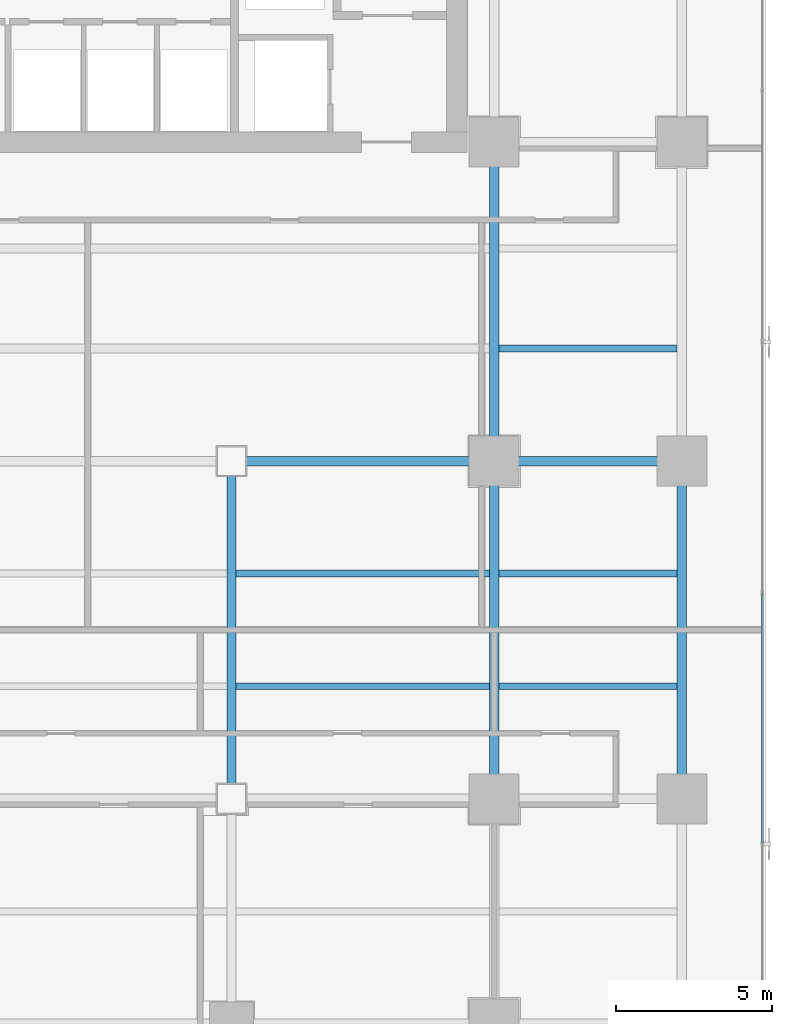
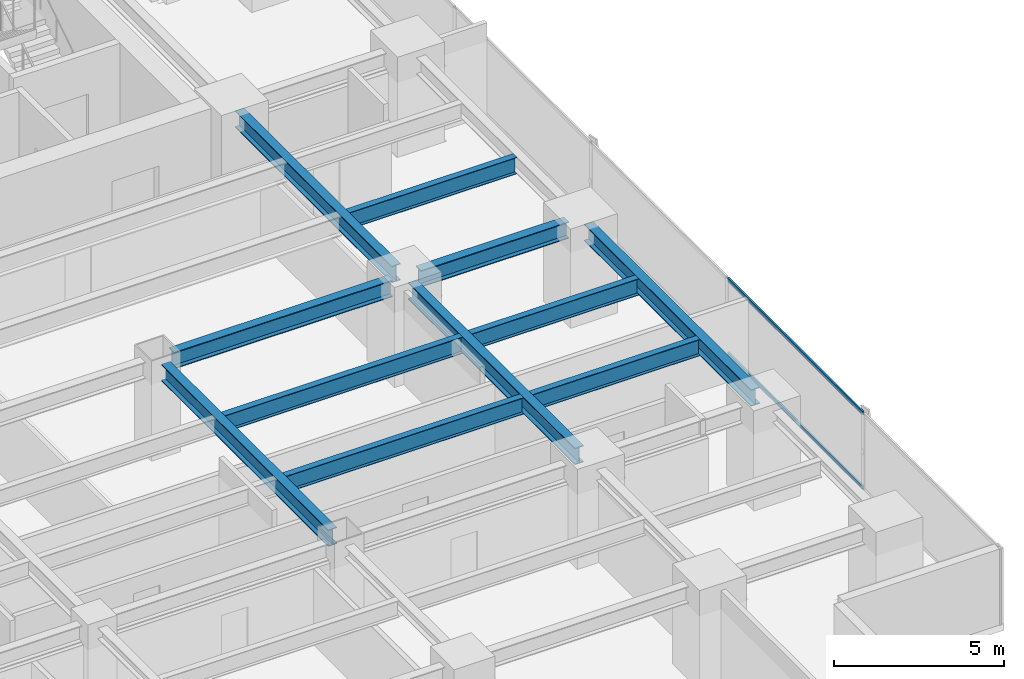
# One storey, part 15 of 34: 11 beams, 2 members, 1 element without a shape of its own.
"""IFC4 building model written with IfcOpenShell, lengths in metres."""

from ifc_helpers import new_model, si_unit, direction, frame, origin, origin_2d, place, context, subcontext, project, spatial, hollow_rectangle, i_section, extrude, source, transform, mapped, material, layer, layer_set, material_profile, profile_set, type_object, element, aggregate, save


model = new_model("IFC4")

# Units and contexts
model_context = context("Model", 3, precision=1e-05, world=origin(), true_north=direction((0.0, 1.0)))
body_context = subcontext(model_context, "Body", "Model", "MODEL_VIEW")
ifc_project = project(units=[si_unit("LENGTHUNIT", "METRE"), si_unit("AREAUNIT", "SQUARE_METRE"), si_unit("VOLUMEUNIT", "CUBIC_METRE"), si_unit("PLANEANGLEUNIT", "RADIAN"), si_unit("MASSUNIT", "GRAM", prefix="KILO")], contexts=[model_context])

# Site, building, storey
site_placement = place(None, origin())
site = spatial("IfcSite", under=ifc_project, at=site_placement, CompositionType="ELEMENT")
building_placement = place(site_placement, origin())
building = spatial("IfcBuilding", under=site, at=building_placement, Name="Sumidabori Civic Tower", CompositionType="ELEMENT")
storey_placement = place(building_placement, frame((0.0, 0.0, 106.39990234375)))
storey = spatial("IfcBuildingStorey", under=building, at=storey_placement, Name="L27", CompositionType="ELEMENT", Elevation=106.39990234375)

# Beams
ifc_material_1 = material(Name="Steel SN490", Category="steel")
ifc_material_profile_1 = material_profile(ifc_material_1, i_section(OverallWidth=0.300048828125, OverallDepth=0.60009765625, WebThickness=0.015380859375, FlangeThickness=0.030029296875, at=origin_2d()), Name="HE 600 B")
ifc_profile_set_1 = profile_set([ifc_material_profile_1], Name="Steel SN490")
beam_type_1 = type_object("IfcBeamType", Name="BM-GIRD-600", PredefinedType="BEAM", material=ifc_profile_set_1)
shared_shape_1 = source(origin(), body_context, "Body", "SweptSolid", [
    extrude(i_section(OverallWidth=0.300048828125, OverallDepth=0.60009765625, WebThickness=0.015380859375, FlangeThickness=0.030029296875, at=origin_2d()), origin(), (0.0, 0.0, 1.0), 5.0400390625),
])
beam_1_placement = place(storey_placement, frame((17.280029296875, 0.0, 3.06005859375), z_axis=(1.0, 0.0, 0.0), x_axis=(0.0, 1.0, 0.0)))
element("IfcBeam", 1, at=beam_1_placement, inside=storey, type_object=beam_type_1, Name="Primary Girder L27 GX-18", PredefinedType="BEAM", context=body_context, shape_type="MappedRepresentation", body=[
    mapped(shared_shape_1, transform((0.0, 0.0, 0.0), x_axis=(1.0, 0.0, 0.0), y_axis=(0.0, 1.0, 0.0), z_axis=(0.0, 0.0, 1.0), scale=1.0)),
])
shared_shape_2 = source(origin(), body_context, "Body", "SweptSolid", [
    extrude(i_section(OverallWidth=0.300048828125, OverallDepth=0.60009765625, WebThickness=0.015380859375, FlangeThickness=0.030029296875, at=origin_2d()), origin(), (0.0, 0.0, 1.0), 7.440185546875),
])
beam_2_placement = place(storey_placement, frame((8.8798828125, 0.0, 3.06005859375), z_axis=(1.0, 0.0, 0.0), x_axis=(0.0, 1.0, 0.0)))
element("IfcBeam", 2, at=beam_2_placement, inside=storey, type_object=beam_type_1, Name="Primary Girder L27 GX-17", PredefinedType="BEAM", context=body_context, shape_type="MappedRepresentation", body=[
    mapped(shared_shape_2, transform((0.0, 0.0, 0.0), x_axis=(1.0, 0.0, 0.0), y_axis=(0.0, 1.0, 0.0), z_axis=(0.0, 0.0, 1.0), scale=1.0)),
])
shared_shape_3 = source(origin(), body_context, "Body", "SweptSolid", [
    extrude(i_section(OverallWidth=0.300048828125, OverallDepth=0.60009765625, WebThickness=0.015380859375, FlangeThickness=0.030029296875, at=origin_2d()), origin(), (0.0, 0.0, 1.0), 9.840087890625),
])
for number, where, z_axis, x_axis, name in (
    (3, (8.39990234375, -10.320068359375, 3.06005859375), (0.0, 1.0, 0.0), (-1.0, 0.0, 0.0), "Primary Girder L27 GY-34"),
    (4, (16.800048828125, -10.320068359375, 3.06005859375), (0.0, 1.0, 0.0), (-1.0, 0.0, 0.0), "Primary Girder L27 GY-36"),
    (5, (22.800048828125, -10.320068359375, 3.06005859375), (0.0, 1.0, 0.0), (-1.0, 0.0, 0.0), "Primary Girder L27 GY-40"),
):
    element("IfcBeam", number, at=place(storey_placement, frame(where, z_axis=z_axis, x_axis=x_axis)), inside=storey, type_object=beam_type_1, Name=name, PredefinedType="BEAM", context=body_context, shape_type="MappedRepresentation", body=[
        mapped(shared_shape_3, transform((0.0, 0.0, 0.0), x_axis=(1.0, 0.0, 0.0), y_axis=(0.0, 1.0, 0.0), z_axis=(0.0, 0.0, 1.0), scale=1.0)),
    ])
shared_shape_4 = source(origin(), body_context, "Body", "SweptSolid", [
    extrude(i_section(OverallWidth=0.300048828125, OverallDepth=0.60009765625, WebThickness=0.015380859375, FlangeThickness=0.030029296875, at=origin_2d()), origin(), (0.0, 0.0, 1.0), 9.239990234375),
])
beam_3_placement = place(storey_placement, frame((16.800048828125, 0.47998046875, 3.06005859375), z_axis=(0.0, 1.0, 0.0), x_axis=(-1.0, 0.0, 0.0)))
element("IfcBeam", 6, at=beam_3_placement, inside=storey, type_object=beam_type_1, Name="Primary Girder L27 GY-37", PredefinedType="BEAM", context=body_context, shape_type="MappedRepresentation", body=[
    mapped(shared_shape_4, transform((0.0, 0.0, 0.0), x_axis=(1.0, 0.0, 0.0), y_axis=(0.0, 1.0, 0.0), z_axis=(0.0, 0.0, 1.0), scale=1.0)),
])
ifc_material_profile_2 = material_profile(ifc_material_1, i_section(OverallWidth=0.219970703125, OverallDepth=0.60009765625, WebThickness=0.011962890625, FlangeThickness=0.01904296875, at=origin_2d()), Name="IPE 600")
ifc_profile_set_2 = profile_set([ifc_material_profile_2], Name="Steel SN490")
beam_type_2 = type_object("IfcBeamType", Name="BM-JST-600", PredefinedType="JOIST", material=ifc_profile_set_2)
shared_shape_5 = source(origin(), body_context, "Body", "SweptSolid", [
    extrude(i_section(OverallWidth=0.219970703125, OverallDepth=0.60009765625, WebThickness=0.011962890625, FlangeThickness=0.01904296875, at=origin_2d()), origin(), (0.0, 0.0, 1.0), 5.699951171875),
])
for number, where, z_axis, x_axis, name in (
    (7, (16.949951171875, -7.199951171875, 3.06005859375), (1.0, 0.0, 0.0), (0.0, 1.0, 0.0), "Outer Bay Floor Joist L27 JSTO-44"),
    (8, (16.949951171875, -3.60009765625, 3.06005859375), (1.0, 0.0, 0.0), (0.0, 1.0, 0.0), "Outer Bay Floor Joist L27 JSTO-46"),
    (9, (16.949951171875, 3.60009765625, 3.06005859375), (1.0, 0.0, 0.0), (0.0, 1.0, 0.0), "Outer Bay Floor Joist L27 JSTO-48"),
):
    element("IfcBeam", number, at=place(storey_placement, frame(where, z_axis=z_axis, x_axis=x_axis)), inside=storey, type_object=beam_type_2, Name=name, PredefinedType="JOIST", context=body_context, shape_type="MappedRepresentation", body=[
        mapped(shared_shape_5, transform((0.0, 0.0, 0.0), x_axis=(1.0, 0.0, 0.0), y_axis=(0.0, 1.0, 0.0), z_axis=(0.0, 0.0, 1.0), scale=1.0)),
    ])
shared_shape_6 = source(origin(), body_context, "Body", "SweptSolid", [
    extrude(i_section(OverallWidth=0.219970703125, OverallDepth=0.60009765625, WebThickness=0.011962890625, FlangeThickness=0.01904296875, at=origin_2d()), origin(), (0.0, 0.0, 1.0), 8.099853515625),
])
for number, where, z_axis, x_axis, name in (
    (10, (8.550048828125, -7.199951171875, 3.06005859375), (1.0, 0.0, 0.0), (0.0, 1.0, 0.0), "South Bay Floor Joist L27 JSTS-62"),
    (11, (8.550048828125, -3.60009765625, 3.06005859375), (1.0, 0.0, 0.0), (0.0, 1.0, 0.0), "South Bay Floor Joist L27 JSTS-66"),
):
    element("IfcBeam", number, at=place(storey_placement, frame(where, z_axis=z_axis, x_axis=x_axis)), inside=storey, type_object=beam_type_2, Name=name, PredefinedType="JOIST", context=body_context, shape_type="MappedRepresentation", body=[
        mapped(shared_shape_6, transform((0.0, 0.0, 0.0), x_axis=(1.0, 0.0, 0.0), y_axis=(0.0, 1.0, 0.0), z_axis=(0.0, 0.0, 1.0), scale=1.0)),
    ])

# Curtain wall, members
ifc_material_2 = material(Name="Anodised Bronze Aluminium AW-6063-T6", Category="aluminium")
ifc_layer = layer(ifc_material_2, 0.179931640625, Name="Anodised Bronze Aluminium AW-6063-T6")
ifc_layer_set = layer_set([ifc_layer], Name="Anodised Bronze Aluminium AW-6063-T6")
curtain_wall_type = type_object("IfcCurtainWallType", Name="CW-SYS-3", PredefinedType="NOTDEFINED", material=ifc_layer_set)
curtain_wall_placement = place(storey_placement, origin())
curtain_wall = element("IfcCurtainWall", 12, at=curtain_wall_placement, inside=storey, type_object=curtain_wall_type, Name="Curtain Wall CW:L27:R04", PredefinedType="NOTDEFINED")
ifc_material_profile_3 = material_profile(ifc_material_2, hollow_rectangle(XDim=0.06005859375, YDim=0.1298828125, WallThickness=0.0048828125, at=origin_2d()), Name="ALU TRANSOM 130x60")
ifc_profile_set_3 = profile_set([ifc_material_profile_3], Name="Anodised Bronze Aluminium AW-6063-T6")
member_type = type_object("IfcMemberType", Name="CW-TRN-130", PredefinedType="USERDEFINED", material=ifc_profile_set_3)
shared_shape_7 = source(origin(), body_context, "Body", "SweptSolid", [
    extrude(hollow_rectangle(XDim=0.06005859375, YDim=0.1298828125, WallThickness=0.0048828125, at=origin_2d()), origin(), (0.0, 0.0, 1.0), 7.962890625),
])
member_1_placement = place(storey_placement, frame((25.3798828125, -12.20947265625, 0.030029296875), z_axis=(0.0, 1.0, 0.0), x_axis=(-1.0, 0.0, 0.0)))
member_1 = element("IfcMember", 13, at=member_1_placement, type_object=member_type, Name="CW-3 transom 2.1", ObjectType="TRANSOM", PredefinedType="USERDEFINED", context=body_context, shape_type="MappedRepresentation", body=[
    mapped(shared_shape_7, transform((0.0, 0.0, 0.0), x_axis=(1.0, 0.0, 0.0), y_axis=(0.0, 1.0, 0.0), z_axis=(0.0, 0.0, 1.0), scale=1.0)),
])
member_2_placement = place(storey_placement, frame((25.3798828125, -12.20947265625, 2.710205078125), z_axis=(0.0, 1.0, 0.0), x_axis=(-1.0, 0.0, 0.0)))
member_2 = element("IfcMember", 14, at=member_2_placement, type_object=member_type, Name="CW-3 transom 2.2", ObjectType="TRANSOM", PredefinedType="USERDEFINED", context=body_context, shape_type="MappedRepresentation", body=[
    mapped(shared_shape_7, transform((0.0, 0.0, 0.0), x_axis=(1.0, 0.0, 0.0), y_axis=(0.0, 1.0, 0.0), z_axis=(0.0, 0.0, 1.0), scale=1.0)),
])
aggregate(curtain_wall, [member_1, member_2])

save(model, "model.ifc")
